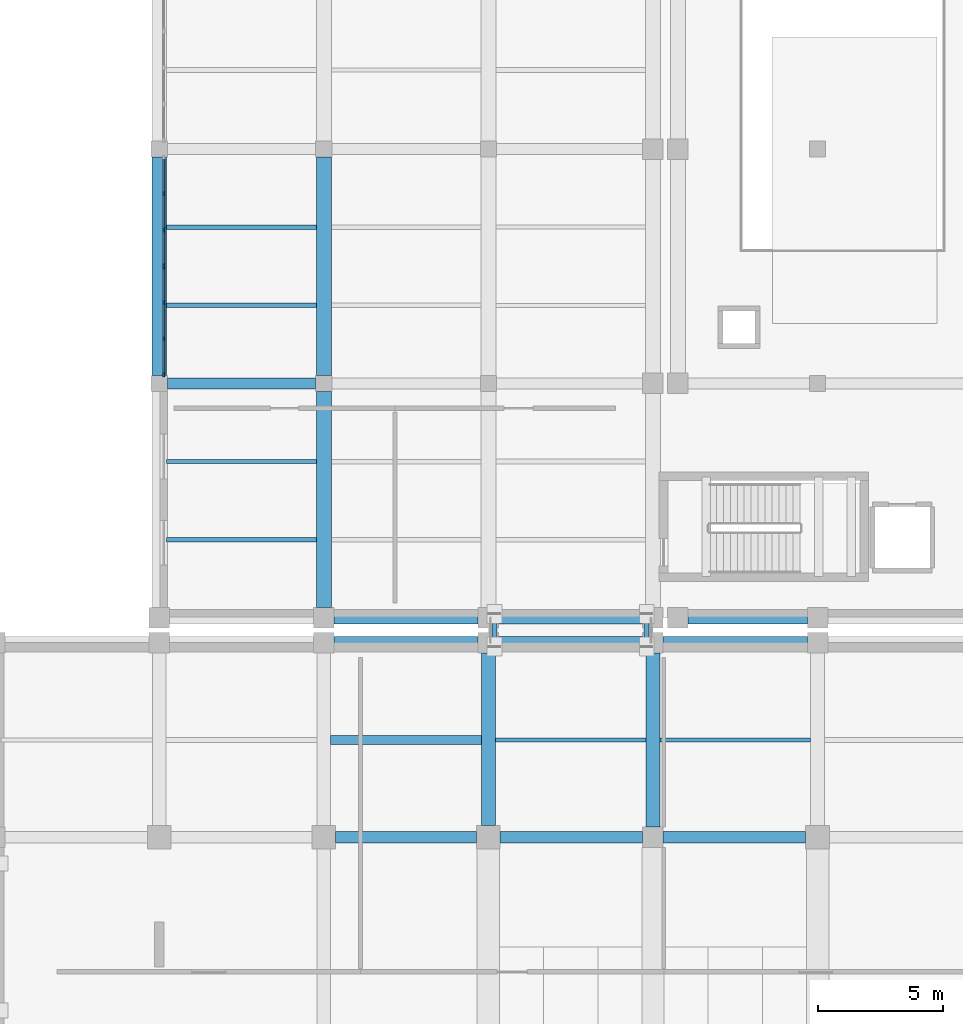
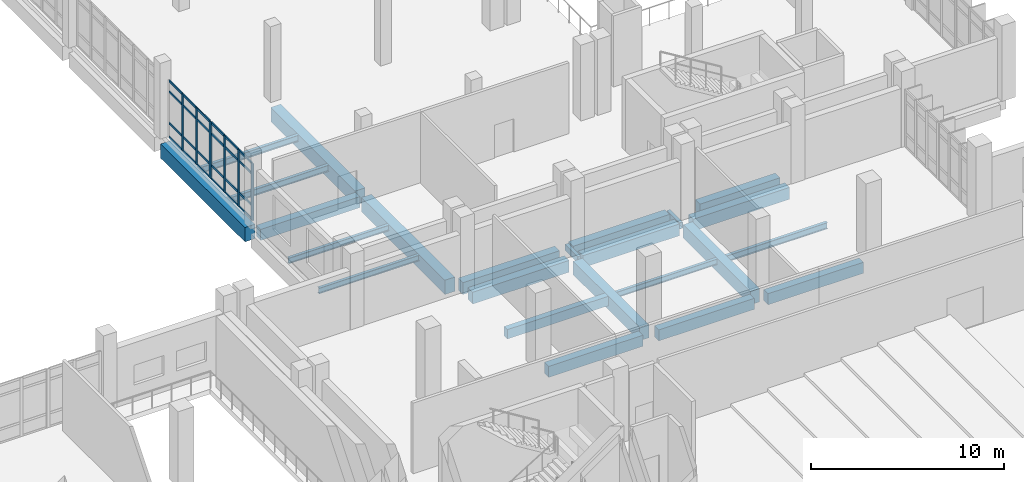
# One storey, part 34 of 90: 31 members, 24 beams, 2 elements without a shape of their own.
"""IFC4 building model written with IfcOpenShell, lengths in metres."""

from ifc_helpers import new_model, si_unit, direction, frame, origin, origin_2d, place, context, subcontext, project, spatial, rectangle, hollow_rectangle, i_section, extrude, material, layer, layer_set, material_profile, profile_set, type_object, element, aggregate, save


model = new_model("IFC4")

# Units and contexts
model_context = context("Model", 3, precision=1e-05, world=origin(), true_north=direction((0.0, 1.0)))
body_context = subcontext(model_context, "Body", "Model", "MODEL_VIEW")
ifc_project = project(units=[si_unit("LENGTHUNIT", "METRE"), si_unit("AREAUNIT", "SQUARE_METRE"), si_unit("VOLUMEUNIT", "CUBIC_METRE"), si_unit("PLANEANGLEUNIT", "RADIAN"), si_unit("MASSUNIT", "GRAM", prefix="KILO")], contexts=[model_context])

# Site, building, storey
site_placement = place(None, origin())
site = spatial("IfcSite", under=ifc_project, at=site_placement, CompositionType="ELEMENT")
building_placement = place(site_placement, origin())
building = spatial("IfcBuilding", under=site, at=building_placement, Name="Kelarvand Opera House", CompositionType="ELEMENT")
storey_placement = place(building_placement, frame((0.0, 0.0, 5.39990234375)))
storey = spatial("IfcBuildingStorey", under=building, at=storey_placement, Name="L01", CompositionType="ELEMENT", Elevation=5.39990234375)

# Curtain wall, members
ifc_material_1 = material(Name="Thermally broken aluminium and low-E glazing", Category="aluminium")
ifc_layer = layer(ifc_material_1, 0.179931640625, Name="Thermally broken aluminium and low-E glazing", Category="aluminium")
ifc_layer_set = layer_set([ifc_layer], Name="Thermally broken aluminium and low-E glazing")
curtain_wall_type = type_object("IfcCurtainWallType", Name="Unitised Low-E Curtain Wall 4361x3600 Mod 1450 CWF-42", PredefinedType="USERDEFINED", material=ifc_layer_set)
curtain_wall_1_placement = place(storey_placement, origin())
curtain_wall_1 = element("IfcCurtainWall", 1, at=curtain_wall_1_placement, inside=storey, type_object=curtain_wall_type, Name="V5 L01 Curtain Wall CWF-42 (184)", ObjectType="UNITISED CURTAIN WALL", PredefinedType="USERDEFINED")
ifc_material_2 = material(Name="Thermally broken anodised aluminium", Category="aluminium")
ifc_material_profile_1 = material_profile(ifc_material_2, rectangle(XDim=0.06494140625, YDim=0.179931640625, at=origin_2d()), Name="ALU MULLION 65x180", Category="aluminium")
ifc_profile_set_1 = profile_set([ifc_material_profile_1], Name="Thermally broken anodised aluminium")
member_type_1 = type_object("IfcMemberType", Name="Curtain Wall Mullion 65x180 Aluminium", PredefinedType="MULLION", material=ifc_profile_set_1)
member_1_placement = place(storey_placement, frame((95.780029296875, 96.967529296875, 0.0), z_axis=(0.0, 0.0, 1.0), x_axis=(-1.0, 0.0, 0.0)))
member_1 = element("IfcMember", 2, at=member_1_placement, type_object=member_type_1, Name="CWF-42 mullion 1", PredefinedType="MULLION", context=body_context, shape_type="SweptSolid", body=[
    extrude(rectangle(XDim=0.06494140625, YDim=0.179931640625, at=origin_2d()), origin(), (0.0, 0.0, 1.0), 3.60009765625),
])
member_2_placement = place(storey_placement, frame((95.780029296875, 98.388671875, 0.0), z_axis=(0.0, 0.0, 1.0), x_axis=(-1.0, 0.0, 0.0)))
member_2 = element("IfcMember", 3, at=member_2_placement, type_object=member_type_1, Name="CWF-42 mullion 2", PredefinedType="MULLION", context=body_context, shape_type="SweptSolid", body=[
    extrude(rectangle(XDim=0.06494140625, YDim=0.179931640625, at=origin_2d()), origin(), (0.0, 0.0, 1.0), 3.60009765625),
])
member_3_placement = place(storey_placement, frame((95.780029296875, 99.84228515625, 0.0), z_axis=(0.0, 0.0, 1.0), x_axis=(-1.0, 0.0, 0.0)))
member_3 = element("IfcMember", 4, at=member_3_placement, type_object=member_type_1, Name="CWF-42 mullion 3", PredefinedType="MULLION", context=body_context, shape_type="SweptSolid", body=[
    extrude(rectangle(XDim=0.06494140625, YDim=0.179931640625, at=origin_2d()), origin(), (0.0, 0.0, 1.0), 3.60009765625),
])
member_4_placement = place(storey_placement, frame((95.780029296875, 101.263427734375, 0.0), z_axis=(0.0, 0.0, 1.0), x_axis=(-1.0, 0.0, 0.0)))
member_4 = element("IfcMember", 5, at=member_4_placement, type_object=member_type_1, Name="CWF-42 mullion 4", PredefinedType="MULLION", context=body_context, shape_type="SweptSolid", body=[
    extrude(rectangle(XDim=0.06494140625, YDim=0.179931640625, at=origin_2d()), origin(), (0.0, 0.0, 1.0), 3.60009765625),
])

curtain_wall_2_placement = place(storey_placement, origin())
curtain_wall_2 = element("IfcCurtainWall", 6, at=curtain_wall_2_placement, inside=storey, type_object=curtain_wall_type, Name="V5 L01 Curtain Wall CWF-42 (185)", ObjectType="UNITISED CURTAIN WALL", PredefinedType="USERDEFINED")
member_5_placement = place(storey_placement, frame((95.780029296875, 101.33251953125, 0.0), z_axis=(0.0, 0.0, 1.0), x_axis=(-1.0, 0.0, 0.0)))
member_5 = element("IfcMember", 7, at=member_5_placement, type_object=member_type_1, Name="CWF-42 mullion 1", PredefinedType="MULLION", context=body_context, shape_type="SweptSolid", body=[
    extrude(rectangle(XDim=0.06494140625, YDim=0.179931640625, at=origin_2d()), origin(), (0.0, 0.0, 1.0), 3.60009765625),
])
member_6_placement = place(storey_placement, frame((95.780029296875, 102.7548828125, 0.0), z_axis=(0.0, 0.0, 1.0), x_axis=(-1.0, 0.0, 0.0)))
member_6 = element("IfcMember", 8, at=member_6_placement, type_object=member_type_1, Name="CWF-42 mullion 2", PredefinedType="MULLION", context=body_context, shape_type="SweptSolid", body=[
    extrude(rectangle(XDim=0.06494140625, YDim=0.179931640625, at=origin_2d()), origin(), (0.0, 0.0, 1.0), 3.60009765625),
])
member_7_placement = place(storey_placement, frame((95.780029296875, 104.2099609375, 0.0), z_axis=(0.0, 0.0, 1.0), x_axis=(-1.0, 0.0, 0.0)))
member_7 = element("IfcMember", 9, at=member_7_placement, type_object=member_type_1, Name="CWF-42 mullion 3", PredefinedType="MULLION", context=body_context, shape_type="SweptSolid", body=[
    extrude(rectangle(XDim=0.06494140625, YDim=0.179931640625, at=origin_2d()), origin(), (0.0, 0.0, 1.0), 3.60009765625),
])

# Member
ifc_material_profile_2 = material_profile(ifc_material_2, rectangle(XDim=0.06494140625, YDim=0.139892578125, at=origin_2d()), Name="ALU TRANSOM 65x140", Category="aluminium")
ifc_profile_set_2 = profile_set([ifc_material_profile_2], Name="Thermally broken anodised aluminium")
member_type_2 = type_object("IfcMemberType", Name="Curtain Wall Transom 65x140 Aluminium", PredefinedType="USERDEFINED", material=ifc_profile_set_2)
member_8_placement = place(storey_placement, frame((95.780029296875, 97.0, 0.03271484375), z_axis=(0.0, 1.0, 0.0), x_axis=(-1.0, 0.0, 0.0)))
member_8 = element("IfcMember", 10, at=member_8_placement, type_object=member_type_2, Name="CWF-42 transom 1.1", ObjectType="TRANSOM", PredefinedType="USERDEFINED", context=body_context, shape_type="SweptSolid", body=[
    extrude(rectangle(XDim=0.06494140625, YDim=0.139892578125, at=origin_2d()), origin(), (0.0, 0.0, 1.0), 1.356201171875),
])

member_9_placement = place(storey_placement, frame((95.780029296875, 97.0, 0.900146484375), z_axis=(0.0, 1.0, 0.0), x_axis=(-1.0, 0.0, 0.0)))
member_9 = element("IfcMember", 11, at=member_9_placement, type_object=member_type_2, Name="CWF-42 transom 1.2", ObjectType="TRANSOM", PredefinedType="USERDEFINED", context=body_context, shape_type="SweptSolid", body=[
    extrude(rectangle(XDim=0.06494140625, YDim=0.139892578125, at=origin_2d()), origin(), (0.0, 0.0, 1.0), 1.356201171875),
])

member_10_placement = place(storey_placement, frame((95.780029296875, 97.0, 2.900146484375), z_axis=(0.0, 1.0, 0.0), x_axis=(-1.0, 0.0, 0.0)))
member_10 = element("IfcMember", 12, at=member_10_placement, type_object=member_type_2, Name="CWF-42 transom 1.3", ObjectType="TRANSOM", PredefinedType="USERDEFINED", context=body_context, shape_type="SweptSolid", body=[
    extrude(rectangle(XDim=0.06494140625, YDim=0.139892578125, at=origin_2d()), origin(), (0.0, 0.0, 1.0), 1.356201171875),
])

member_11_placement = place(storey_placement, frame((95.780029296875, 97.0, 3.567626953125), z_axis=(0.0, 1.0, 0.0), x_axis=(-1.0, 0.0, 0.0)))
member_11 = element("IfcMember", 13, at=member_11_placement, type_object=member_type_2, Name="CWF-42 transom 1.4", ObjectType="TRANSOM", PredefinedType="USERDEFINED", context=body_context, shape_type="SweptSolid", body=[
    extrude(rectangle(XDim=0.06494140625, YDim=0.139892578125, at=origin_2d()), origin(), (0.0, 0.0, 1.0), 1.356201171875),
])

member_12_placement = place(storey_placement, frame((95.780029296875, 98.421142578125, 0.03271484375), z_axis=(0.0, 1.0, 0.0), x_axis=(-1.0, 0.0, 0.0)))
member_12 = element("IfcMember", 14, at=member_12_placement, type_object=member_type_2, Name="CWF-42 transom 2.1", ObjectType="TRANSOM", PredefinedType="USERDEFINED", context=body_context, shape_type="SweptSolid", body=[
    extrude(rectangle(XDim=0.06494140625, YDim=0.139892578125, at=origin_2d()), origin(), (0.0, 0.0, 1.0), 1.388671875),
])

member_13_placement = place(storey_placement, frame((95.780029296875, 98.421142578125, 0.900146484375), z_axis=(0.0, 1.0, 0.0), x_axis=(-1.0, 0.0, 0.0)))
member_13 = element("IfcMember", 15, at=member_13_placement, type_object=member_type_2, Name="CWF-42 transom 2.2", ObjectType="TRANSOM", PredefinedType="USERDEFINED", context=body_context, shape_type="SweptSolid", body=[
    extrude(rectangle(XDim=0.06494140625, YDim=0.139892578125, at=origin_2d()), origin(), (0.0, 0.0, 1.0), 1.388671875),
])

member_14_placement = place(storey_placement, frame((95.780029296875, 98.421142578125, 2.900146484375), z_axis=(0.0, 1.0, 0.0), x_axis=(-1.0, 0.0, 0.0)))
member_14 = element("IfcMember", 16, at=member_14_placement, type_object=member_type_2, Name="CWF-42 transom 2.3", ObjectType="TRANSOM", PredefinedType="USERDEFINED", context=body_context, shape_type="SweptSolid", body=[
    extrude(rectangle(XDim=0.06494140625, YDim=0.139892578125, at=origin_2d()), origin(), (0.0, 0.0, 1.0), 1.388671875),
])

member_15_placement = place(storey_placement, frame((95.780029296875, 98.421142578125, 3.567626953125), z_axis=(0.0, 1.0, 0.0), x_axis=(-1.0, 0.0, 0.0)))
member_15 = element("IfcMember", 17, at=member_15_placement, type_object=member_type_2, Name="CWF-42 transom 2.4", ObjectType="TRANSOM", PredefinedType="USERDEFINED", context=body_context, shape_type="SweptSolid", body=[
    extrude(rectangle(XDim=0.06494140625, YDim=0.139892578125, at=origin_2d()), origin(), (0.0, 0.0, 1.0), 1.388671875),
])

member_16_placement = place(storey_placement, frame((95.780029296875, 99.874755859375, 0.03271484375), z_axis=(0.0, 1.0, 0.0), x_axis=(-1.0, 0.0, 0.0)))
member_16 = element("IfcMember", 18, at=member_16_placement, type_object=member_type_2, Name="CWF-42 transom 3.1", ObjectType="TRANSOM", PredefinedType="USERDEFINED", context=body_context, shape_type="SweptSolid", body=[
    extrude(rectangle(XDim=0.06494140625, YDim=0.139892578125, at=origin_2d()), origin(), (0.0, 0.0, 1.0), 1.356201171875),
])

member_17_placement = place(storey_placement, frame((95.780029296875, 99.874755859375, 0.900146484375), z_axis=(0.0, 1.0, 0.0), x_axis=(-1.0, 0.0, 0.0)))
member_17 = element("IfcMember", 19, at=member_17_placement, type_object=member_type_2, Name="CWF-42 transom 3.2", ObjectType="TRANSOM", PredefinedType="USERDEFINED", context=body_context, shape_type="SweptSolid", body=[
    extrude(rectangle(XDim=0.06494140625, YDim=0.139892578125, at=origin_2d()), origin(), (0.0, 0.0, 1.0), 1.356201171875),
])

member_18_placement = place(storey_placement, frame((95.780029296875, 99.874755859375, 2.900146484375), z_axis=(0.0, 1.0, 0.0), x_axis=(-1.0, 0.0, 0.0)))
member_18 = element("IfcMember", 20, at=member_18_placement, type_object=member_type_2, Name="CWF-42 transom 3.3", ObjectType="TRANSOM", PredefinedType="USERDEFINED", context=body_context, shape_type="SweptSolid", body=[
    extrude(rectangle(XDim=0.06494140625, YDim=0.139892578125, at=origin_2d()), origin(), (0.0, 0.0, 1.0), 1.356201171875),
])

member_19_placement = place(storey_placement, frame((95.780029296875, 99.874755859375, 3.567626953125), z_axis=(0.0, 1.0, 0.0), x_axis=(-1.0, 0.0, 0.0)))
member_19 = element("IfcMember", 21, at=member_19_placement, type_object=member_type_2, Name="CWF-42 transom 3.4", ObjectType="TRANSOM", PredefinedType="USERDEFINED", context=body_context, shape_type="SweptSolid", body=[
    extrude(rectangle(XDim=0.06494140625, YDim=0.139892578125, at=origin_2d()), origin(), (0.0, 0.0, 1.0), 1.356201171875),
])

aggregate(curtain_wall_1, [member_1, member_2, member_3, member_4, member_8, member_9, member_10, member_11, member_12, member_13, member_14, member_15, member_16, member_17, member_18, member_19])

member_20_placement = place(storey_placement, frame((95.780029296875, 101.364990234375, 0.03271484375), z_axis=(0.0, 1.0, 0.0), x_axis=(-1.0, 0.0, 0.0)))
member_20 = element("IfcMember", 22, at=member_20_placement, type_object=member_type_2, Name="CWF-42 transom 1.1", ObjectType="TRANSOM", PredefinedType="USERDEFINED", context=body_context, shape_type="SweptSolid", body=[
    extrude(rectangle(XDim=0.06494140625, YDim=0.139892578125, at=origin_2d()), origin(), (0.0, 0.0, 1.0), 1.357421875),
])

member_21_placement = place(storey_placement, frame((95.780029296875, 101.364990234375, 0.900146484375), z_axis=(0.0, 1.0, 0.0), x_axis=(-1.0, 0.0, 0.0)))
member_21 = element("IfcMember", 23, at=member_21_placement, type_object=member_type_2, Name="CWF-42 transom 1.2", ObjectType="TRANSOM", PredefinedType="USERDEFINED", context=body_context, shape_type="SweptSolid", body=[
    extrude(rectangle(XDim=0.06494140625, YDim=0.139892578125, at=origin_2d()), origin(), (0.0, 0.0, 1.0), 1.357421875),
])

member_22_placement = place(storey_placement, frame((95.780029296875, 101.364990234375, 2.900146484375), z_axis=(0.0, 1.0, 0.0), x_axis=(-1.0, 0.0, 0.0)))
member_22 = element("IfcMember", 24, at=member_22_placement, type_object=member_type_2, Name="CWF-42 transom 1.3", ObjectType="TRANSOM", PredefinedType="USERDEFINED", context=body_context, shape_type="SweptSolid", body=[
    extrude(rectangle(XDim=0.06494140625, YDim=0.139892578125, at=origin_2d()), origin(), (0.0, 0.0, 1.0), 1.357421875),
])

member_23_placement = place(storey_placement, frame((95.780029296875, 101.364990234375, 3.567626953125), z_axis=(0.0, 1.0, 0.0), x_axis=(-1.0, 0.0, 0.0)))
member_23 = element("IfcMember", 25, at=member_23_placement, type_object=member_type_2, Name="CWF-42 transom 1.4", ObjectType="TRANSOM", PredefinedType="USERDEFINED", context=body_context, shape_type="SweptSolid", body=[
    extrude(rectangle(XDim=0.06494140625, YDim=0.139892578125, at=origin_2d()), origin(), (0.0, 0.0, 1.0), 1.357421875),
])

member_24_placement = place(storey_placement, frame((95.780029296875, 102.78759765625, 0.03271484375), z_axis=(0.0, 1.0, 0.0), x_axis=(-1.0, 0.0, 0.0)))
member_24 = element("IfcMember", 26, at=member_24_placement, type_object=member_type_2, Name="CWF-42 transom 2.1", ObjectType="TRANSOM", PredefinedType="USERDEFINED", context=body_context, shape_type="SweptSolid", body=[
    extrude(rectangle(XDim=0.06494140625, YDim=0.139892578125, at=origin_2d()), origin(), (0.0, 0.0, 1.0), 1.389892578125),
])

member_25_placement = place(storey_placement, frame((95.780029296875, 102.78759765625, 0.900146484375), z_axis=(0.0, 1.0, 0.0), x_axis=(-1.0, 0.0, 0.0)))
member_25 = element("IfcMember", 27, at=member_25_placement, type_object=member_type_2, Name="CWF-42 transom 2.2", ObjectType="TRANSOM", PredefinedType="USERDEFINED", context=body_context, shape_type="SweptSolid", body=[
    extrude(rectangle(XDim=0.06494140625, YDim=0.139892578125, at=origin_2d()), origin(), (0.0, 0.0, 1.0), 1.389892578125),
])

member_26_placement = place(storey_placement, frame((95.780029296875, 102.78759765625, 2.900146484375), z_axis=(0.0, 1.0, 0.0), x_axis=(-1.0, 0.0, 0.0)))
member_26 = element("IfcMember", 28, at=member_26_placement, type_object=member_type_2, Name="CWF-42 transom 2.3", ObjectType="TRANSOM", PredefinedType="USERDEFINED", context=body_context, shape_type="SweptSolid", body=[
    extrude(rectangle(XDim=0.06494140625, YDim=0.139892578125, at=origin_2d()), origin(), (0.0, 0.0, 1.0), 1.389892578125),
])

member_27_placement = place(storey_placement, frame((95.780029296875, 102.78759765625, 3.567626953125), z_axis=(0.0, 1.0, 0.0), x_axis=(-1.0, 0.0, 0.0)))
member_27 = element("IfcMember", 29, at=member_27_placement, type_object=member_type_2, Name="CWF-42 transom 2.4", ObjectType="TRANSOM", PredefinedType="USERDEFINED", context=body_context, shape_type="SweptSolid", body=[
    extrude(rectangle(XDim=0.06494140625, YDim=0.139892578125, at=origin_2d()), origin(), (0.0, 0.0, 1.0), 1.389892578125),
])

member_28_placement = place(storey_placement, frame((95.780029296875, 104.242431640625, 0.03271484375), z_axis=(0.0, 1.0, 0.0), x_axis=(-1.0, 0.0, 0.0)))
member_28 = element("IfcMember", 30, at=member_28_placement, type_object=member_type_2, Name="CWF-42 transom 3.1", ObjectType="TRANSOM", PredefinedType="USERDEFINED", context=body_context, shape_type="SweptSolid", body=[
    extrude(rectangle(XDim=0.06494140625, YDim=0.139892578125, at=origin_2d()), origin(), (0.0, 0.0, 1.0), 1.357666015625),
])

member_29_placement = place(storey_placement, frame((95.780029296875, 104.242431640625, 0.900146484375), z_axis=(0.0, 1.0, 0.0), x_axis=(-1.0, 0.0, 0.0)))
member_29 = element("IfcMember", 31, at=member_29_placement, type_object=member_type_2, Name="CWF-42 transom 3.2", ObjectType="TRANSOM", PredefinedType="USERDEFINED", context=body_context, shape_type="SweptSolid", body=[
    extrude(rectangle(XDim=0.06494140625, YDim=0.139892578125, at=origin_2d()), origin(), (0.0, 0.0, 1.0), 1.357666015625),
])

member_30_placement = place(storey_placement, frame((95.780029296875, 104.242431640625, 2.900146484375), z_axis=(0.0, 1.0, 0.0), x_axis=(-1.0, 0.0, 0.0)))
member_30 = element("IfcMember", 32, at=member_30_placement, type_object=member_type_2, Name="CWF-42 transom 3.3", ObjectType="TRANSOM", PredefinedType="USERDEFINED", context=body_context, shape_type="SweptSolid", body=[
    extrude(rectangle(XDim=0.06494140625, YDim=0.139892578125, at=origin_2d()), origin(), (0.0, 0.0, 1.0), 1.357666015625),
])

member_31_placement = place(storey_placement, frame((95.780029296875, 104.242431640625, 3.567626953125), z_axis=(0.0, 1.0, 0.0), x_axis=(-1.0, 0.0, 0.0)))
member_31 = element("IfcMember", 33, at=member_31_placement, type_object=member_type_2, Name="CWF-42 transom 3.4", ObjectType="TRANSOM", PredefinedType="USERDEFINED", context=body_context, shape_type="SweptSolid", body=[
    extrude(rectangle(XDim=0.06494140625, YDim=0.139892578125, at=origin_2d()), origin(), (0.0, 0.0, 1.0), 1.357666015625),
])

aggregate(curtain_wall_2, [member_5, member_6, member_7, member_20, member_21, member_22, member_23, member_24, member_25, member_26, member_27, member_28, member_29, member_30, member_31])

# Beams
ifc_material_3 = material(Name="Concrete C35/45", Category="concrete")
ifc_material_profile_3 = material_profile(ifc_material_3, rectangle(XDim=0.35009765625, YDim=0.60009765625, at=origin_2d()), Name="RC 350x600", Category="concrete")
ifc_profile_set_3 = profile_set([ifc_material_profile_3], Name="Concrete C35/45")
beam_type_1 = type_object("IfcBeamType", Name="Structural Beam RC 350x600 BM-RC350x600", PredefinedType="BEAM", material=ifc_profile_set_3)
beam_1_placement = place(storey_placement, frame((102.47509765625, 82.300048828125, -0.599853515625), z_axis=(1.0, 0.0, 0.0), x_axis=(0.0, 1.0, 0.0)))
element("IfcBeam", 34, at=beam_1_placement, inside=storey, type_object=beam_type_1, Name="V1 L01 Beam BM-RC350x600", PredefinedType="BEAM", context=body_context, shape_type="SweptSolid", body=[
    extrude(rectangle(XDim=0.35009765625, YDim=0.60009765625, at=origin_2d()), origin(), (0.0, 0.0, 1.0), 6.0498046875),
])
ifc_material_4 = material(Name="Concrete C40/50", Category="concrete")
ifc_material_profile_4 = material_profile(ifc_material_4, rectangle(XDim=0.449951171875, YDim=0.699951171875, at=origin_2d()), Name="RC 450x700", Category="concrete")
ifc_profile_set_4 = profile_set([ifc_material_profile_4], Name="Concrete C40/50")
beam_type_2 = type_object("IfcBeamType", Name="Structural Beam RC 450x700 BM-RC450x700", PredefinedType="BEAM", material=ifc_profile_set_4)
beam_2_placement = place(storey_placement, frame((102.675048828125, 78.39990234375, -0.64990234375), z_axis=(1.0, 0.0, 0.0), x_axis=(0.0, 1.0, 0.0)))
element("IfcBeam", 35, at=beam_2_placement, inside=storey, type_object=beam_type_2, Name="V1 L01 Beam BM-RC450x700", PredefinedType="BEAM", context=body_context, shape_type="SweptSolid", body=[
    extrude(rectangle(XDim=0.449951171875, YDim=0.699951171875, at=origin_2d()), origin(), (0.0, 0.0, 1.0), 5.64990234375),
])
beam_3_placement = place(storey_placement, frame((109.27490234375, 78.39990234375, -0.64990234375), z_axis=(1.0, 0.0, 0.0), x_axis=(0.0, 1.0, 0.0)))
element("IfcBeam", 36, at=beam_3_placement, inside=storey, type_object=beam_type_2, Name="V1 L01 Beam BM-RC450x700", PredefinedType="BEAM", context=body_context, shape_type="SweptSolid", body=[
    extrude(rectangle(XDim=0.449951171875, YDim=0.699951171875, at=origin_2d()), origin(), (0.0, 0.0, 1.0), 5.715087890625),
])
beam_4_placement = place(storey_placement, frame((115.81005859375, 78.39990234375, -0.64990234375), z_axis=(1.0, 0.0, 0.0), x_axis=(0.0, 1.0, 0.0)))
element("IfcBeam", 37, at=beam_4_placement, inside=storey, type_object=beam_type_2, Name="V1 L01 Beam BM-RC450x700", PredefinedType="BEAM", context=body_context, shape_type="SweptSolid", body=[
    extrude(rectangle(XDim=0.449951171875, YDim=0.699951171875, at=origin_2d()), origin(), (0.0, 0.0, 1.0), 5.71484375),
])
beam_5_placement = place(storey_placement, frame((95.925048828125, 96.60009765625, -0.64990234375), z_axis=(1.0, 0.0, 0.0), x_axis=(0.0, 1.0, 0.0)))
element("IfcBeam", 38, at=beam_5_placement, inside=storey, type_object=beam_type_2, Name="V5 L01 Beam BM-RC450x700", PredefinedType="BEAM", context=body_context, shape_type="SweptSolid", body=[
    extrude(rectangle(XDim=0.449951171875, YDim=0.699951171875, at=origin_2d()), origin(), (0.0, 0.0, 1.0), 5.949951171875),
])
ifc_material_profile_5 = material_profile(ifc_material_4, rectangle(XDim=0.550048828125, YDim=0.85009765625, at=origin_2d()), Name="RC 550x850", Category="concrete")
ifc_profile_set_5 = profile_set([ifc_material_profile_5], Name="Concrete C40/50")
beam_type_3 = type_object("IfcBeamType", Name="Structural Beam RC 550x850 BM-RC550x850", PredefinedType="BEAM", material=ifc_profile_set_5)
beam_6_placement = place(storey_placement, frame((108.800048828125, 78.875, -0.724853515625), z_axis=(0.0, 1.0, 0.0), x_axis=(-1.0, 0.0, 0.0)))
element("IfcBeam", 39, at=beam_6_placement, inside=storey, type_object=beam_type_3, Name="V1 L01 Beam BM-RC550x850", PredefinedType="BEAM", context=body_context, shape_type="SweptSolid", body=[
    extrude(rectangle(XDim=0.550048828125, YDim=0.85009765625, at=origin_2d()), origin(), (0.0, 0.0, 1.0), 6.9150390625),
])
beam_7_placement = place(storey_placement, frame((115.39990234375, 78.81005859375, -0.724853515625), z_axis=(0.0, 1.0, 0.0), x_axis=(-1.0, 0.0, 0.0)))
element("IfcBeam", 40, at=beam_7_placement, inside=storey, type_object=beam_type_3, Name="V1 L01 Beam BM-RC550x850", PredefinedType="BEAM", context=body_context, shape_type="SweptSolid", body=[
    extrude(rectangle(XDim=0.550048828125, YDim=0.85009765625, at=origin_2d()), origin(), (0.0, 0.0, 1.0), 6.97998046875),
])
ifc_material_profile_6 = material_profile(ifc_material_4, rectangle(XDim=0.60009765625, YDim=0.89990234375, at=origin_2d()), Name="RC 600x900", Category="concrete")
ifc_profile_set_6 = profile_set([ifc_material_profile_6], Name="Concrete C40/50")
beam_type_4 = type_object("IfcBeamType", Name="Structural Beam RC 600x900 BM-RC600x900", PredefinedType="BEAM", material=ifc_profile_set_6)
beam_8_placement = place(storey_placement, frame((102.199951171875, 87.610107421875, -0.75), z_axis=(0.0, 1.0, 0.0), x_axis=(-1.0, 0.0, 0.0)))
element("IfcBeam", 41, at=beam_8_placement, inside=storey, type_object=beam_type_4, Name="V5 L01 Beam BM-RC600x900", PredefinedType="BEAM", context=body_context, shape_type="SweptSolid", body=[
    extrude(rectangle(XDim=0.60009765625, YDim=0.89990234375, at=origin_2d()), origin(), (0.0, 0.0, 1.0), 8.664794921875),
])
beam_9_placement = place(storey_placement, frame((102.199951171875, 96.925048828125, -0.75), z_axis=(0.0, 1.0, 0.0), x_axis=(-1.0, 0.0, 0.0)))
element("IfcBeam", 42, at=beam_9_placement, inside=storey, type_object=beam_type_4, Name="V5 L01 Beam BM-RC600x900", PredefinedType="BEAM", context=body_context, shape_type="SweptSolid", body=[
    extrude(rectangle(XDim=0.60009765625, YDim=0.89990234375, at=origin_2d()), origin(), (0.0, 0.0, 1.0), 8.75),
])
ifc_material_5 = material(Name="Steel S355", Category="steel")
ifc_material_profile_7 = material_profile(ifc_material_5, hollow_rectangle(XDim=0.199951171875, YDim=0.39990234375, WallThickness=0.01611328125, at=origin_2d()), Name="RHS 400x200x16.0", Category="steel")
ifc_profile_set_7 = profile_set([ifc_material_profile_7], Name="Steel S355")
beam_type_5 = type_object("IfcBeamType", Name="Structural Beam RHS 400x200x16.0 BM-RHS400", PredefinedType="BEAM", material=ifc_profile_set_7)
for number, where, z_axis, x_axis, name in (
    (43, (109.050048828125, 86.050048828125, -0.52001953125), (0.0, 1.0, 0.0), (-1.0, 0.0, 0.0), "Seismic Sliding Corbel Beam BR-JN-E L01 1"),
    (44, (115.14990234375, 86.050048828125, -0.52001953125), (0.0, 1.0, 0.0), (-1.0, 0.0, 0.0), "Seismic Sliding Corbel Beam BR-JN-E L01 2"),
):
    element("IfcBeam", number, at=place(storey_placement, frame(where, z_axis=z_axis, x_axis=x_axis)), inside=storey, type_object=beam_type_5, Name=name, PredefinedType="BEAM", context=body_context, shape_type="SweptSolid", body=[
        extrude(hollow_rectangle(XDim=0.199951171875, YDim=0.39990234375, WallThickness=0.01611328125, at=origin_2d()), origin(), (0.0, 0.0, 1.0), 1.300048828125),
    ])
ifc_material_profile_8 = material_profile(ifc_material_5, i_section(OverallWidth=0.169921875, OverallDepth=0.360107421875, WebThickness=0.008056640625, FlangeThickness=0.0126953125, at=origin_2d()), Name="IPE 360", Category="steel")
ifc_profile_set_8 = profile_set([ifc_material_profile_8], Name="Steel S355")
beam_type_6 = type_object("IfcBeamType", Name="Structural Joist IPE 360 JS-IPE360", PredefinedType="JOIST", material=ifc_profile_set_8)
beam_10_placement = place(storey_placement, frame((109.074951171875, 82.300048828125, -0.47998046875), z_axis=(1.0, 0.0, 0.0), x_axis=(0.0, 1.0, 0.0)))
element("IfcBeam", 45, at=beam_10_placement, inside=storey, type_object=beam_type_6, Name="V1 L01 Beam JS-IPE360", PredefinedType="JOIST", context=body_context, shape_type="SweptSolid", body=[
    extrude(i_section(OverallWidth=0.169921875, OverallDepth=0.360107421875, WebThickness=0.008056640625, FlangeThickness=0.0126953125, at=origin_2d()), origin(), (0.0, 0.0, 1.0), 6.050048828125),
])
for number, where, z_axis, x_axis, name in (
    (46, (95.89990234375, 90.333251953125, -0.47998046875), (1.0, 0.0, 0.0), (0.0, 1.0, 0.0), "V5 L01 Beam JS-IPE360"),
    (47, (95.89990234375, 93.466796875, -0.47998046875), (1.0, 0.0, 0.0), (0.0, 1.0, 0.0), "V5 L01 Beam JS-IPE360"),
):
    element("IfcBeam", number, at=place(storey_placement, frame(where, z_axis=z_axis, x_axis=x_axis)), inside=storey, type_object=beam_type_6, Name=name, PredefinedType="JOIST", context=body_context, shape_type="SweptSolid", body=[
        extrude(i_section(OverallWidth=0.169921875, OverallDepth=0.360107421875, WebThickness=0.008056640625, FlangeThickness=0.0126953125, at=origin_2d()), origin(), (0.0, 0.0, 1.0), 6.0),
    ])
ifc_material_profile_9 = material_profile(ifc_material_5, i_section(OverallWidth=0.179931640625, OverallDepth=0.39990234375, WebThickness=0.008544921875, FlangeThickness=0.013427734375, at=origin_2d()), Name="IPE 400", Category="steel")
ifc_profile_set_9 = profile_set([ifc_material_profile_9], Name="Steel S355")
beam_type_7 = type_object("IfcBeamType", Name="Structural Joist IPE 400 JS-IPE400", PredefinedType="JOIST", material=ifc_profile_set_9)
beam_11_placement = place(storey_placement, frame((115.675048828125, 82.300048828125, -0.5), z_axis=(1.0, 0.0, 0.0), x_axis=(0.0, 1.0, 0.0)))
element("IfcBeam", 48, at=beam_11_placement, inside=storey, type_object=beam_type_7, Name="V1 L01 Beam JS-IPE400", PredefinedType="JOIST", context=body_context, shape_type="SweptSolid", body=[
    extrude(i_section(OverallWidth=0.179931640625, OverallDepth=0.39990234375, WebThickness=0.008544921875, FlangeThickness=0.013427734375, at=origin_2d()), origin(), (0.0, 0.0, 1.0), 6.050048828125),
])
for number, where, z_axis, x_axis, name in (
    (49, (95.89990234375, 99.7333984375, -0.5), (1.0, 0.0, 0.0), (0.0, 1.0, 0.0), "V5 L01 Beam JS-IPE400"),
    (50, (95.89990234375, 102.86669921875, -0.5), (1.0, 0.0, 0.0), (0.0, 1.0, 0.0), "V5 L01 Beam JS-IPE400"),
):
    element("IfcBeam", number, at=place(storey_placement, frame(where, z_axis=z_axis, x_axis=x_axis)), inside=storey, type_object=beam_type_7, Name=name, PredefinedType="JOIST", context=body_context, shape_type="SweptSolid", body=[
        extrude(i_section(OverallWidth=0.179931640625, OverallDepth=0.39990234375, WebThickness=0.008544921875, FlangeThickness=0.013427734375, at=origin_2d()), origin(), (0.0, 0.0, 1.0), 6.0),
    ])
ifc_material_profile_10 = material_profile(ifc_material_4, rectangle(XDim=0.5, YDim=0.75, at=origin_2d()), Name="RC 500x750", Category="concrete")
ifc_profile_set_10 = profile_set([ifc_material_profile_10], Name="Concrete C40/50")
beam_type_8 = type_object("IfcBeamType", Name="Structural Spandrel RC 500x750 SP-RC500x750E", PredefinedType="SPANDREL", material=ifc_profile_set_10)
beam_12_placement = place(storey_placement, frame((102.610107421875, 86.199951171875, -0.6748046875), z_axis=(1.0, 0.0, 0.0), x_axis=(0.0, 1.0, 0.0)))
element("IfcBeam", 51, at=beam_12_placement, inside=storey, type_object=beam_type_8, Name="V1 L01 Beam SP-RC500x750E", PredefinedType="SPANDREL", context=body_context, shape_type="SweptSolid", body=[
    extrude(rectangle(XDim=0.5, YDim=0.75, at=origin_2d()), origin(), (0.0, 0.0, 1.0), 5.77978515625),
])
for number, where, z_axis, x_axis, name in (
    (52, (109.2099609375, 86.199951171875, -0.6748046875), (1.0, 0.0, 0.0), (0.0, 1.0, 0.0), "V1 L01 Beam SP-RC500x750E"),
    (53, (115.81005859375, 86.199951171875, -0.6748046875), (1.0, 0.0, 0.0), (0.0, 1.0, 0.0), "V1 L01 Beam SP-RC500x750E"),
):
    element("IfcBeam", number, at=place(storey_placement, frame(where, z_axis=z_axis, x_axis=x_axis)), inside=storey, type_object=beam_type_8, Name=name, PredefinedType="SPANDREL", context=body_context, shape_type="SweptSolid", body=[
        extrude(rectangle(XDim=0.5, YDim=0.75, at=origin_2d()), origin(), (0.0, 0.0, 1.0), 5.780029296875),
    ])
beam_13_placement = place(storey_placement, frame((102.610107421875, 87.199951171875, -0.6748046875), z_axis=(1.0, 0.0, 0.0), x_axis=(0.0, 1.0, 0.0)))
element("IfcBeam", 54, at=beam_13_placement, inside=storey, type_object=beam_type_8, Name="V5 L01 Beam SP-RC500x750E", PredefinedType="SPANDREL", context=body_context, shape_type="SweptSolid", body=[
    extrude(rectangle(XDim=0.5, YDim=0.75, at=origin_2d()), origin(), (0.0, 0.0, 1.0), 5.77978515625),
])
beam_14_placement = place(storey_placement, frame((109.2099609375, 87.199951171875, -0.6748046875), z_axis=(1.0, 0.0, 0.0), x_axis=(0.0, 1.0, 0.0)))
element("IfcBeam", 55, at=beam_14_placement, inside=storey, type_object=beam_type_8, Name="V5 L01 Beam SP-RC500x750E", PredefinedType="SPANDREL", context=body_context, shape_type="SweptSolid", body=[
    extrude(rectangle(XDim=0.5, YDim=0.75, at=origin_2d()), origin(), (0.0, 0.0, 1.0), 5.780029296875),
])
beam_15_placement = place(storey_placement, frame((116.81005859375, 87.199951171875, -0.6748046875), z_axis=(1.0, 0.0, 0.0), x_axis=(0.0, 1.0, 0.0)))
element("IfcBeam", 56, at=beam_15_placement, inside=storey, type_object=beam_type_8, Name="V5 L01 Beam SP-RC500x750E", PredefinedType="SPANDREL", context=body_context, shape_type="SweptSolid", body=[
    extrude(rectangle(XDim=0.5, YDim=0.75, at=origin_2d()), origin(), (0.0, 0.0, 1.0), 4.780029296875),
])
ifc_material_profile_11 = material_profile(ifc_material_4, rectangle(XDim=0.60009765625, YDim=0.89990234375, at=origin_2d()), Name="RC 600x900", Category="concrete")
ifc_profile_set_11 = profile_set([ifc_material_profile_11], Name="Concrete C40/50")
beam_type_9 = type_object("IfcBeamType", Name="Structural Spandrel RC 600x900 SP-RC600x900E", PredefinedType="SPANDREL", material=ifc_profile_set_11)
beam_16_placement = place(storey_placement, frame((95.60009765625, 96.925048828125, -0.75), z_axis=(0.0, 1.0, 0.0), x_axis=(-1.0, 0.0, 0.0)))
element("IfcBeam", 57, at=beam_16_placement, inside=storey, type_object=beam_type_9, Name="V5 L01 Beam SP-RC600x900E", PredefinedType="SPANDREL", context=body_context, shape_type="SweptSolid", body=[
    extrude(rectangle(XDim=0.60009765625, YDim=0.89990234375, at=origin_2d()), origin(), (0.0, 0.0, 1.0), 8.75),
])

save(model, "model.ifc")
